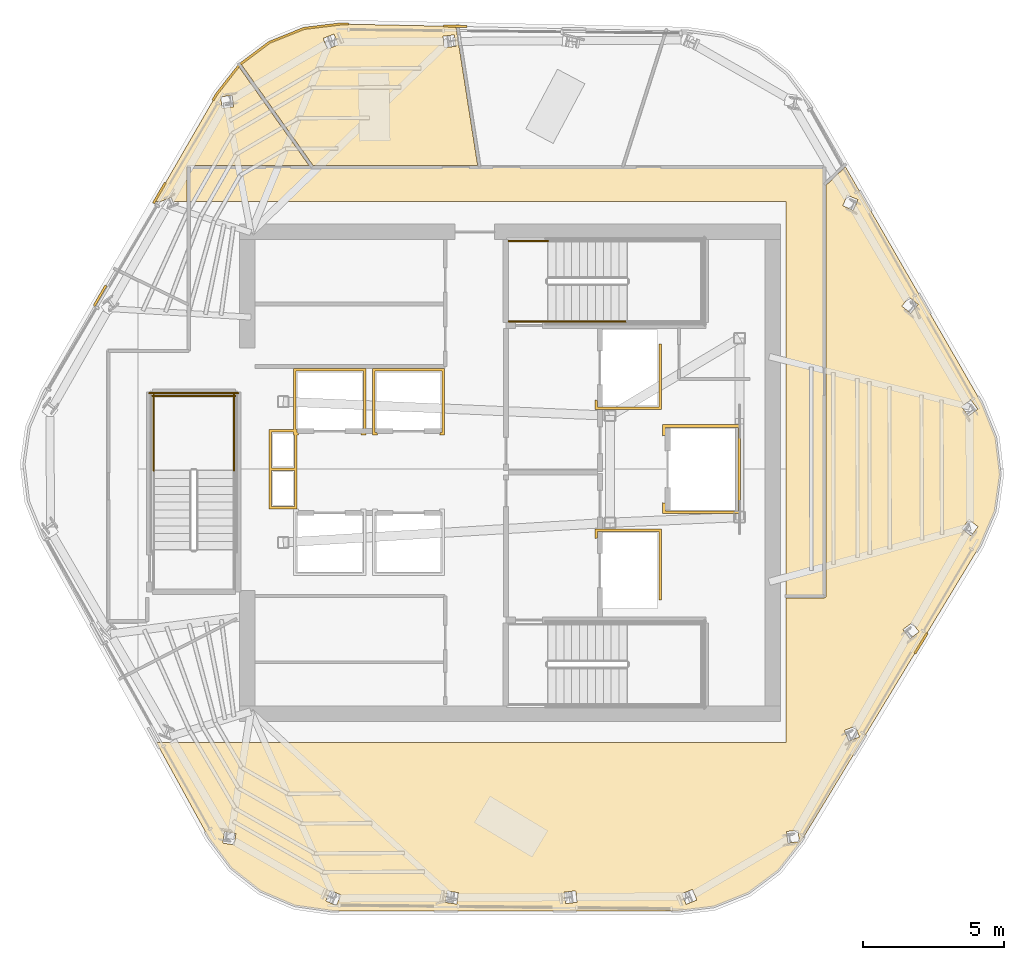
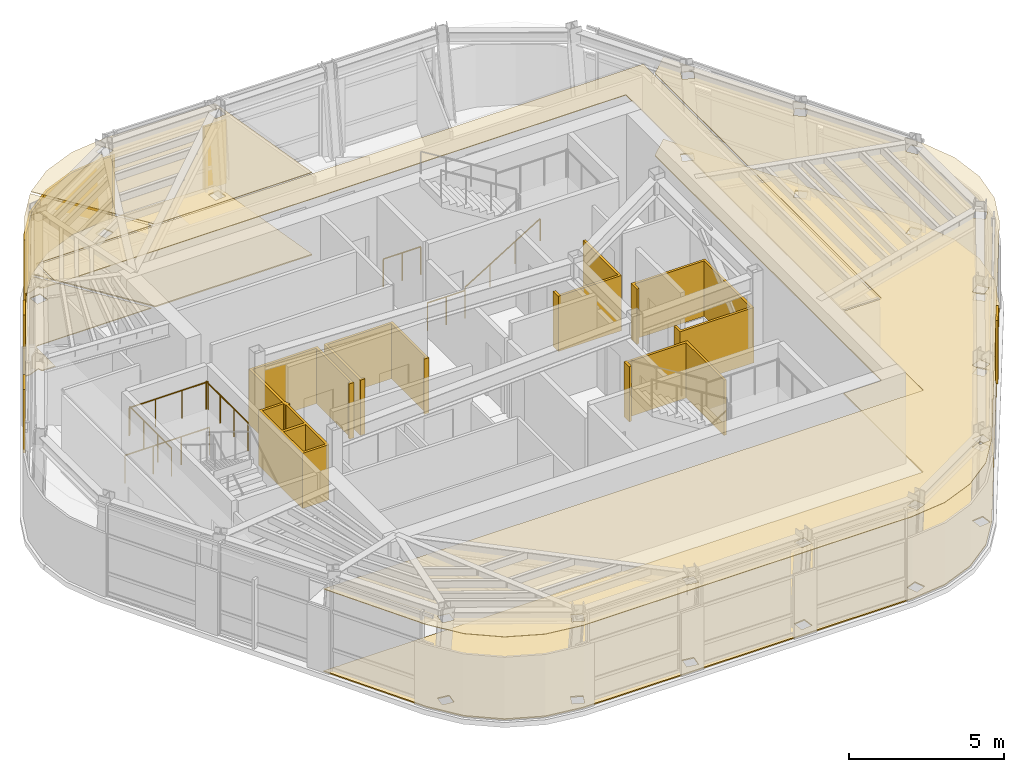
# One storey, part 11 of 13: 17 coverings, 7 railings.
"""IFC4 building model written with IfcOpenShell, lengths in metres."""

from ifc_helpers import new_model, si_unit, direction, frame, origin, origin_2d, place, context, subcontext, project, spatial, polyline, circle, outline, extrude, material, layer, layer_set, type_object, element, save


model = new_model("IFC4")

# Units and contexts
model_context = context("Model", 3, precision=1e-05, world=origin(), true_north=direction((0.0, 1.0)))
body_context = subcontext(model_context, "Body", "Model", "MODEL_VIEW")
ifc_project = project(units=[si_unit("LENGTHUNIT", "METRE"), si_unit("AREAUNIT", "SQUARE_METRE"), si_unit("VOLUMEUNIT", "CUBIC_METRE"), si_unit("PLANEANGLEUNIT", "RADIAN"), si_unit("MASSUNIT", "GRAM", prefix="KILO")], contexts=[model_context])

# Site, building, storey
site_placement = place(None, origin())
site = spatial("IfcSite", under=ifc_project, at=site_placement, CompositionType="ELEMENT")
building_placement = place(site_placement, origin())
building = spatial("IfcBuilding", under=site, at=building_placement, Name="Valkerne Bourse Tower", CompositionType="ELEMENT")
storey_placement = place(building_placement, frame((0.0, 0.0, 281.199951171875)))
storey = spatial("IfcBuildingStorey", under=building, at=storey_placement, Name="L71", CompositionType="ELEMENT", Elevation=281.199951171875)

# Coverings
ifc_material_1 = material(Name="Mineral Fiber Acoustic Ceiling Tile", Category="acoustic")
ifc_layer_1 = layer(ifc_material_1, 0.02490234375)
ifc_layer_set_1 = layer_set([ifc_layer_1], Name="Mineral Fiber Acoustic Ceiling Tile")
covering_type_1 = type_object("IfcCoveringType", Name="COV-CEIL-ACT", PredefinedType="CEILING", material=ifc_layer_set_1)
covering_1_placement = place(storey_placement, frame((0.0, 0.0, 3.25)))
element("IfcCovering", 1, at=covering_1_placement, inside=storey, type_object=covering_type_1, Name="L71 Suspended Ceiling 03", PredefinedType="CEILING", context=body_context, shape_type="SweptSolid", body=[
    extrude(outline(polyline([(39.660400390625, 37.7890625), (35.399658203125, 37.7890625), (35.37109375, 37.78271484375), (35.34814453125, 37.765869140625), (35.3310546875, 37.720703125), (35.3310546875, 36.5), (34.837890625, 36.5), (34.77880859375, 36.650634765625), (34.398193359375, 36.502197265625), (34.396728515625, 36.50048828125), (34.39697265625, 36.5), (34.18359375, 36.5), (36.38818359375, 40.31298828125), (37.163818359375, 41.302001953125), (39.660400390625, 37.7890625)]), holes=[polyline([(36.98291015625, 39.861328125), (36.984619140625, 39.86279296875), (36.93701171875, 40.2666015625), (36.531005859375, 40.21923828125), (36.529296875, 40.218017578125), (36.576904296875, 39.814208984375), (36.98291015625, 39.861328125)])]), origin(), (0.0, 0.0, 1.0), 0.025146484375),
])
covering_2_placement = place(storey_placement, frame((0.0, 0.0, 3.25)))
element("IfcCovering", 2, at=covering_2_placement, inside=storey, type_object=covering_type_1, Name="L71 Suspended Ceiling 06", PredefinedType="CEILING", context=body_context, shape_type="SweptSolid", body=[
    extrude(outline(polyline([(40.80615234375, 42.802490234375), (44.878662109375, 42.719482421875), (45.65087890625, 37.7890625), (39.804931640625, 37.7890625), (37.247314453125, 41.38818359375), (38.262939453125, 42.150634765625), (39.4873046875, 42.642822265625), (40.80615234375, 42.802490234375)]), holes=[polyline([(40.69921875, 42.064208984375), (40.701416015625, 42.065185546875), (40.54931640625, 42.445068359375), (40.172607421875, 42.294189453125), (40.17041015625, 42.29345703125), (40.322509765625, 41.913330078125), (40.69921875, 42.064208984375)]), polyline([(44.875732421875, 42.014404296875), (44.82470703125, 42.42041015625), (44.422119140625, 42.3701171875), (44.419921875, 42.36962890625), (44.470703125, 41.963623046875), (44.87353515625, 42.01416015625), (44.875732421875, 42.014404296875)])]), origin(), (0.0, 0.0, 1.0), 0.025146484375),
])
covering_3_placement = place(storey_placement, frame((0.0, 0.0, 3.25)))
element("IfcCovering", 3, at=covering_3_placement, inside=storey, type_object=covering_type_1, Name="L71 Suspended Ceiling 08", PredefinedType="CEILING", context=body_context, shape_type="SweptSolid", body=[
    extrude(outline(polyline([(64.00341796875, 25.511474609375), (63.482177734375, 24.28955078125), (57.14404296875, 13.81005859375), (56.323486328125, 12.763671875), (55.268310546875, 11.97119140625), (54.0439453125, 11.47900390625), (52.723876953125, 11.3193359375), (40.476318359375, 11.32666015625), (39.161376953125, 11.513671875), (37.947509765625, 12.031494140625), (36.9091796875, 12.845703125), (36.11181640625, 13.907958984375), (34.244140625, 17.300048828125), (34.764404296875, 17.300048828125), (34.829345703125, 17.272705078125), (34.8408203125, 17.300048828125), (56.60009765625, 17.300048828125), (56.60009765625, 22.430908203125), (57.95361328125, 22.43115234375), (57.99609375, 22.448486328125), (58.018310546875, 22.489990234375), (58.01904296875, 37.078369140625), (58.706298828125, 37.73583984375), (63.535400390625, 29.3603515625), (64.03076171875, 28.1279296875), (64.189453125, 26.81787109375), (64.00341796875, 25.511474609375)]), holes=[polyline([(40.424072265625, 12.050048828125), (40.421875, 12.051025390625), (40.260009765625, 11.67529296875), (40.6328125, 11.5146484375), (40.635009765625, 11.513671875), (40.796875, 11.889404296875), (40.424072265625, 12.050048828125)]), polyline([(44.5712890625, 12.02783203125), (44.569091796875, 12.028076171875), (44.5078125, 11.623291015625), (44.9091796875, 11.5625), (44.911376953125, 11.56201171875), (44.972900390625, 11.966796875), (44.5712890625, 12.02783203125)]), polyline([(37.06689453125, 14.072021484375), (36.662353515625, 14.129638671875), (36.604248046875, 13.727294921875), (36.606201171875, 13.725830078125), (37.010498046875, 13.668212890625), (37.068603515625, 14.070556640625), (37.06689453125, 14.072021484375)]), polyline([(49.18017578125, 11.63037109375), (49.12939453125, 12.036376953125), (48.726318359375, 11.98583984375), (48.72412109375, 11.985595703125), (48.775146484375, 11.57958984375), (49.177978515625, 11.6298828125), (49.18017578125, 11.63037109375)]), polyline([(53.4296875, 11.70654296875), (53.277587890625, 12.086669921875), (52.900634765625, 11.935791015625), (52.8984375, 11.934814453125), (53.05078125, 11.554931640625), (53.427490234375, 11.705810546875), (53.4296875, 11.70654296875)]), polyline([(57.07080078125, 13.781982421875), (57.023193359375, 14.185791015625), (56.6171875, 14.138671875), (56.615234375, 14.13720703125), (56.6630859375, 13.7333984375), (57.06884765625, 13.78076171875), (57.07080078125, 13.781982421875)]), polyline([(59.203125, 17.49951171875), (59.0546875, 17.878173828125), (58.674072265625, 17.729736328125), (58.672607421875, 17.727783203125), (58.821044921875, 17.349365234375), (59.201904296875, 17.497802734375), (59.203125, 17.49951171875)]), polyline([(61.319091796875, 21.22998046875), (61.0732421875, 21.553955078125), (60.747314453125, 21.3076171875), (60.746337890625, 21.305419921875), (60.9921875, 20.981689453125), (61.318115234375, 21.22802734375), (61.319091796875, 21.22998046875)]), polyline([(63.414306640625, 24.9580078125), (63.09423828125, 25.208984375), (62.84130859375, 24.88818359375), (62.841064453125, 24.8857421875), (63.160888671875, 24.634765625), (63.413818359375, 24.955810546875), (63.414306640625, 24.9580078125)]), polyline([(63.39990234375, 29.13623046875), (63.155517578125, 29.463623046875), (62.8291015625, 29.220947265625), (62.82958984375, 29.21875), (63.073974609375, 28.891357421875), (63.400146484375, 29.1337890625), (63.39990234375, 29.13623046875)]), polyline([(61.2841796875, 32.850830078125), (60.964599609375, 33.105712890625), (60.71044921875, 32.78857421875), (60.711181640625, 32.786376953125), (61.03076171875, 32.531494140625), (61.284912109375, 32.848876953125), (61.2841796875, 32.850830078125)]), polyline([(59.1474609375, 36.56884765625), (58.770751953125, 36.727294921875), (58.6123046875, 36.352783203125), (58.61376953125, 36.35107421875), (58.990478515625, 36.1923828125), (59.148681640625, 36.56689453125), (59.1474609375, 36.56884765625)])]), origin(), (0.0, 0.0, 1.0), 0.025146484375),
])
ifc_material_2 = material(Name="Bronze Anodised Aluminium AA 6063-T6", Category="aluminium")
ifc_layer_2 = layer(ifc_material_2, 0.030029296875)
ifc_layer_set_2 = layer_set([ifc_layer_2], Name="Bronze Anodised Aluminium AA 6063-T6")
covering_type_2 = type_object("IfcCoveringType", Name="COV-CEIL-METAL", PredefinedType="CEILING", material=ifc_layer_set_2)
covering_4_placement = place(storey_placement, frame((0.0, 0.0, 3.25)))
element("IfcCovering", 4, at=covering_4_placement, inside=storey, type_object=covering_type_2, Name="L71 Suspended Ceiling 01", PredefinedType="CEILING", context=body_context, shape_type="SweptSolid", body=[
    extrude(outline(polyline([(35.404052734375, 37.716064453125), (57.946044921875, 37.716064453125), (57.946044921875, 22.50390625), (56.60009765625, 22.50390625), (56.60009765625, 36.5), (35.404052734375, 36.5), (35.404052734375, 37.716064453125)])), origin(), (0.0, 0.0, 1.0), 0.025146484375),
])
ifc_layer_3 = layer(ifc_material_2, 0.06005859375)
ifc_layer_set_3 = layer_set([ifc_layer_3], Name="Bronze Anodised Aluminium AA 6063-T6")
covering_type_3 = type_object("IfcCoveringType", Name="COV-CRN-ALUM", PredefinedType="CLADDING", material=ifc_layer_set_3)
covering_5_placement = place(storey_placement, origin())
element("IfcCovering", 5, at=covering_5_placement, inside=storey, type_object=covering_type_3, Name="L71 Wind-Shaped Corner Aluminium Cladding 02", PredefinedType="CLADDING", context=body_context, shape_type="SweptSolid", body=[
    extrude(outline(polyline([(61.205078125, 20.439697265625), (61.13623046875, 20.480224609375), (61.57080078125, 21.198974609375), (61.639892578125, 21.158203125), (61.205078125, 20.439697265625)])), origin(), (0.0, 0.0, 1.0), 2.5),
])
covering_6_placement = place(storey_placement, origin())
element("IfcCovering", 6, at=covering_6_placement, inside=storey, type_object=covering_type_3, Name="L71 Wind-Shaped Corner Aluminium Cladding 11", PredefinedType="CLADDING", context=body_context, shape_type="SweptSolid", body=[
    extrude(outline(polyline([(32.423583984375, 33.54345703125), (32.492431640625, 33.502685546875), (32.072021484375, 32.775390625), (32.003173828125, 32.816162109375), (32.423583984375, 33.54345703125)])), origin(), (0.0, 0.0, 1.0), 2.5),
])
covering_7_placement = place(storey_placement, origin())
element("IfcCovering", 7, at=covering_7_placement, inside=storey, type_object=covering_type_3, Name="L71 Wind-Shaped Corner Aluminium Cladding 12", PredefinedType="CLADDING", context=body_context, shape_type="SweptSolid", body=[
    extrude(outline(polyline([(34.53173828125, 37.18994140625), (34.6005859375, 37.1494140625), (34.180419921875, 36.422119140625), (34.111328125, 36.462890625), (34.53173828125, 37.18994140625)])), origin(), (0.0, 0.0, 1.0), 2.5),
])
covering_8_placement = place(storey_placement, origin())
element("IfcCovering", 8, at=covering_8_placement, inside=storey, type_object=covering_type_3, Name="L71 Wind-Shaped Corner Aluminium Cladding 13", PredefinedType="CLADDING", context=body_context, shape_type="SweptSolid", body=[
    extrude(outline(polyline([(36.3515625, 40.337646484375), (37.1767578125, 41.39013671875), (38.2412109375, 42.189208984375), (39.476318359375, 42.685791015625), (40.803955078125, 42.846435546875), (41.21142578125, 42.838134765625), (41.0673828125, 42.839599609375), (41.066650390625, 42.760986328125), (40.807861328125, 42.766357421875), (39.496337890625, 42.607666015625), (38.28076171875, 42.118896484375), (37.233154296875, 41.33251953125), (36.418212890625, 40.292724609375), (36.28857421875, 40.06884765625), (36.220947265625, 40.10888671875), (36.147216796875, 39.984130859375), (36.3515625, 40.337646484375)])), origin(), (0.0, 0.0, 1.0), 2.5),
])
covering_9_placement = place(storey_placement, origin())
element("IfcCovering", 9, at=covering_9_placement, inside=storey, type_object=covering_type_3, Name="L71 Wind-Shaped Corner Aluminium Cladding 14", PredefinedType="CLADDING", context=body_context, shape_type="SweptSolid", body=[
    extrude(outline(polyline([(45.27880859375, 42.75537109375), (45.278076171875, 42.67529296875), (44.438232421875, 42.6923828125), (44.439208984375, 42.7724609375), (45.27880859375, 42.75537109375)])), origin(), (0.0, 0.0, 1.0), 2.5),
])
ifc_material_3 = material(Name="Galvanised Painted Steel", Category="steel")
ifc_layer_4 = layer(ifc_material_3, 0.044921875)
ifc_layer_set_4 = layer_set([ifc_layer_4], Name="Galvanised Painted Steel")
covering_type_4 = type_object("IfcCoveringType", Name="COV-FLR-RAF", PredefinedType="FLOORING", material=ifc_layer_set_4)
covering_10_placement = place(storey_placement, origin())
element("IfcCovering", 10, at=covering_10_placement, inside=storey, type_object=covering_type_4, Name="L71 Floor Finish 06", PredefinedType="FLOORING", context=body_context, shape_type="SweptSolid", body=[
    extrude(outline(polyline([(40.80615234375, 42.802490234375), (44.878662109375, 42.719482421875), (45.65087890625, 37.7890625), (39.804931640625, 37.7890625), (37.247314453125, 41.38818359375), (38.262939453125, 42.150634765625), (39.4873046875, 42.642822265625), (40.80615234375, 42.802490234375)]), holes=[polyline([(40.69921875, 42.064208984375), (40.701416015625, 42.065185546875), (40.54931640625, 42.445068359375), (40.172607421875, 42.294189453125), (40.17041015625, 42.29345703125), (40.322509765625, 41.913330078125), (40.69921875, 42.064208984375)]), polyline([(44.875732421875, 42.014404296875), (44.82470703125, 42.42041015625), (44.422119140625, 42.3701171875), (44.419921875, 42.36962890625), (44.470703125, 41.963623046875), (44.87353515625, 42.01416015625), (44.875732421875, 42.014404296875)])]), origin(), (0.0, 0.0, 1.0), 0.045166015625),
])
covering_11_placement = place(storey_placement, origin())
element("IfcCovering", 11, at=covering_11_placement, inside=storey, type_object=covering_type_4, Name="L71 Floor Finish 08", PredefinedType="FLOORING", context=body_context, shape_type="SweptSolid", body=[
    extrude(outline(polyline([(64.00341796875, 25.511474609375), (63.482177734375, 24.28955078125), (57.14404296875, 13.81005859375), (56.323486328125, 12.763671875), (55.268310546875, 11.97119140625), (54.0439453125, 11.47900390625), (52.723876953125, 11.3193359375), (40.476318359375, 11.32666015625), (39.161376953125, 11.513671875), (37.947509765625, 12.031494140625), (36.9091796875, 12.845703125), (36.11181640625, 13.907958984375), (34.244140625, 17.300048828125), (34.764404296875, 17.300048828125), (34.829345703125, 17.272705078125), (34.8408203125, 17.300048828125), (56.60009765625, 17.300048828125), (56.60009765625, 22.430908203125), (57.95361328125, 22.43115234375), (57.99609375, 22.448486328125), (58.018310546875, 22.489990234375), (58.01904296875, 37.078369140625), (58.706298828125, 37.73583984375), (63.535400390625, 29.3603515625), (64.03076171875, 28.1279296875), (64.189453125, 26.81787109375), (64.00341796875, 25.511474609375)]), holes=[polyline([(40.424072265625, 12.050048828125), (40.421875, 12.051025390625), (40.260009765625, 11.67529296875), (40.6328125, 11.5146484375), (40.635009765625, 11.513671875), (40.796875, 11.889404296875), (40.424072265625, 12.050048828125)]), polyline([(44.5712890625, 12.02783203125), (44.569091796875, 12.028076171875), (44.5078125, 11.623291015625), (44.9091796875, 11.5625), (44.911376953125, 11.56201171875), (44.972900390625, 11.966796875), (44.5712890625, 12.02783203125)]), polyline([(37.06689453125, 14.072021484375), (36.662353515625, 14.129638671875), (36.604248046875, 13.727294921875), (36.606201171875, 13.725830078125), (37.010498046875, 13.668212890625), (37.068603515625, 14.070556640625), (37.06689453125, 14.072021484375)]), polyline([(49.18017578125, 11.63037109375), (49.12939453125, 12.036376953125), (48.726318359375, 11.98583984375), (48.72412109375, 11.985595703125), (48.775146484375, 11.57958984375), (49.177978515625, 11.6298828125), (49.18017578125, 11.63037109375)]), polyline([(53.4296875, 11.70654296875), (53.277587890625, 12.086669921875), (52.900634765625, 11.935791015625), (52.8984375, 11.934814453125), (53.05078125, 11.554931640625), (53.427490234375, 11.705810546875), (53.4296875, 11.70654296875)]), polyline([(57.07080078125, 13.781982421875), (57.023193359375, 14.185791015625), (56.6171875, 14.138671875), (56.615234375, 14.13720703125), (56.6630859375, 13.7333984375), (57.06884765625, 13.78076171875), (57.07080078125, 13.781982421875)]), polyline([(59.203125, 17.49951171875), (59.0546875, 17.878173828125), (58.674072265625, 17.729736328125), (58.672607421875, 17.727783203125), (58.821044921875, 17.349365234375), (59.201904296875, 17.497802734375), (59.203125, 17.49951171875)]), polyline([(61.319091796875, 21.22998046875), (61.0732421875, 21.553955078125), (60.747314453125, 21.3076171875), (60.746337890625, 21.305419921875), (60.9921875, 20.981689453125), (61.318115234375, 21.22802734375), (61.319091796875, 21.22998046875)]), polyline([(63.414306640625, 24.9580078125), (63.09423828125, 25.208984375), (62.84130859375, 24.88818359375), (62.841064453125, 24.8857421875), (63.160888671875, 24.634765625), (63.413818359375, 24.955810546875), (63.414306640625, 24.9580078125)]), polyline([(63.39990234375, 29.13623046875), (63.155517578125, 29.463623046875), (62.8291015625, 29.220947265625), (62.82958984375, 29.21875), (63.073974609375, 28.891357421875), (63.400146484375, 29.1337890625), (63.39990234375, 29.13623046875)]), polyline([(61.2841796875, 32.850830078125), (60.964599609375, 33.105712890625), (60.71044921875, 32.78857421875), (60.711181640625, 32.786376953125), (61.03076171875, 32.531494140625), (61.284912109375, 32.848876953125), (61.2841796875, 32.850830078125)]), polyline([(59.1474609375, 36.56884765625), (58.770751953125, 36.727294921875), (58.6123046875, 36.352783203125), (58.61376953125, 36.35107421875), (58.990478515625, 36.1923828125), (59.148681640625, 36.56689453125), (59.1474609375, 36.56884765625)])]), origin(), (0.0, 0.0, 1.0), 0.045166015625),
])
ifc_material_4 = material(Name="Polished Granite Stone", Category="masonry")
ifc_layer_5 = layer(ifc_material_4, 0.030029296875)
ifc_layer_set_5 = layer_set([ifc_layer_5], Name="Polished Granite Stone")
covering_type_5 = type_object("IfcCoveringType", Name="COV-FLR-TERRAZZO", PredefinedType="FLOORING", material=ifc_layer_set_5)
covering_12_placement = place(storey_placement, origin())
element("IfcCovering", 12, at=covering_12_placement, inside=storey, type_object=covering_type_5, Name="L71 Floor Finish 03", PredefinedType="FLOORING", context=body_context, shape_type="SweptSolid", body=[
    extrude(outline(polyline([(39.660400390625, 37.7890625), (35.399658203125, 37.7890625), (35.37109375, 37.78271484375), (35.34814453125, 37.765869140625), (35.3310546875, 37.720703125), (35.3310546875, 36.5), (34.837890625, 36.5), (34.77880859375, 36.650634765625), (34.398193359375, 36.502197265625), (34.396728515625, 36.50048828125), (34.39697265625, 36.5), (34.18359375, 36.5), (36.38818359375, 40.31298828125), (37.163818359375, 41.302001953125), (39.660400390625, 37.7890625)]), holes=[polyline([(36.98291015625, 39.861328125), (36.984619140625, 39.86279296875), (36.93701171875, 40.2666015625), (36.531005859375, 40.21923828125), (36.529296875, 40.218017578125), (36.576904296875, 39.814208984375), (36.98291015625, 39.861328125)])]), origin(), (0.0, 0.0, 1.0), 0.030029296875),
])
ifc_material_5 = material(Name="Gypsum Shaftwall Liner Board", Category="gypsum")
ifc_layer_6 = layer(ifc_material_5, 0.080078125)
ifc_layer_set_6 = layer_set([ifc_layer_6], Name="Gypsum Shaftwall Liner Board")
covering_type_6 = type_object("IfcCoveringType", Name="COV-SHF-CLAD", PredefinedType="CLADDING", material=ifc_layer_set_6)
covering_13_placement = place(storey_placement, origin())
element("IfcCovering", 13, at=covering_13_placement, inside=storey, type_object=covering_type_6, Name="L71 Hoistway & Riser Shaftwall Liner 01", PredefinedType="CLADDING", context=body_context, shape_type="SweptSolid", body=[
    extrude(outline(polyline([(52.179931640625, 24.8798828125), (52.179931640625, 22.35009765625), (52.090087890625, 22.35009765625), (52.090087890625, 24.7900390625), (49.909912109375, 24.7900390625), (49.909912109375, 24.560791015625), (49.869384765625, 24.550537109375), (49.827880859375, 24.53564453125), (49.820068359375, 24.531982421875), (49.820068359375, 24.8798828125), (52.179931640625, 24.8798828125)])), origin(), (0.0, 0.0, 1.0), 2.179931640625),
])
covering_14_placement = place(storey_placement, origin())
element("IfcCovering", 14, at=covering_14_placement, inside=storey, type_object=covering_type_6, Name="L71 Hoistway & Riser Shaftwall Liner 04", PredefinedType="CLADDING", context=body_context, shape_type="SweptSolid", body=[
    extrude(outline(polyline([(38.239990234375, 27.0400390625), (38.239990234375, 28.409912109375), (39.1201171875, 28.409912109375), (39.1201171875, 30.580078125), (41.679931640625, 30.580078125), (41.679931640625, 28.219970703125), (41.500732421875, 28.219970703125), (41.511474609375, 28.26220703125), (41.517822265625, 28.305908203125), (41.51806640625, 28.31005859375), (41.590087890625, 28.31005859375), (41.590087890625, 30.489990234375), (39.2099609375, 30.489990234375), (39.2099609375, 28.409912109375), (39.239990234375, 28.409912109375), (39.239990234375, 28.31005859375), (39.281982421875, 28.31005859375), (39.2822265625, 28.305908203125), (39.28857421875, 28.26220703125), (39.29931640625, 28.219970703125), (39.239990234375, 28.219970703125), (39.239990234375, 27.0400390625), (39.239990234375, 26.9599609375), (39.239990234375, 25.590087890625), (38.239990234375, 25.590087890625), (38.239990234375, 26.9599609375), (38.239990234375, 27.0400390625)]), holes=[polyline([(39.14990234375, 26.949951171875), (38.330078125, 26.949951171875), (38.330078125, 25.679931640625), (39.14990234375, 25.679931640625), (39.14990234375, 26.949951171875)]), polyline([(39.14990234375, 28.219970703125), (39.1201171875, 28.219970703125), (39.1201171875, 28.320068359375), (38.330078125, 28.320068359375), (38.330078125, 27.050048828125), (39.14990234375, 27.050048828125), (39.14990234375, 28.219970703125)])]), origin(), (0.0, 0.0, 1.0), 2.179931640625),
])
covering_15_placement = place(storey_placement, origin())
element("IfcCovering", 15, at=covering_15_placement, inside=storey, type_object=covering_type_6, Name="L71 Hoistway & Riser Shaftwall Liner 05", PredefinedType="CLADDING", context=body_context, shape_type="SweptSolid", body=[
    extrude(outline(polyline([(54.97998046875, 28.580078125), (54.97998046875, 25.419921875), (52.219970703125, 25.419921875), (52.219970703125, 25.81787109375), (52.227783203125, 25.814208984375), (52.269287109375, 25.79931640625), (52.31005859375, 25.789306640625), (52.31005859375, 25.510009765625), (54.889892578125, 25.510009765625), (54.889892578125, 28.489990234375), (52.31005859375, 28.489990234375), (52.31005859375, 28.210693359375), (52.269287109375, 28.20068359375), (52.227783203125, 28.185791015625), (52.219970703125, 28.18212890625), (52.219970703125, 28.580078125), (54.97998046875, 28.580078125)])), origin(), (0.0, 0.0, 1.0), 2.179931640625),
])
covering_16_placement = place(storey_placement, origin())
element("IfcCovering", 16, at=covering_16_placement, inside=storey, type_object=covering_type_6, Name="L71 Hoistway & Riser Shaftwall Liner 06", PredefinedType="CLADDING", context=body_context, shape_type="SweptSolid", body=[
    extrude(outline(polyline([(44.47998046875, 28.219970703125), (44.30078125, 28.219970703125), (44.311279296875, 28.26220703125), (44.31787109375, 28.305908203125), (44.318115234375, 28.31005859375), (44.389892578125, 28.31005859375), (44.389892578125, 30.489990234375), (42.010009765625, 30.489990234375), (42.010009765625, 28.31005859375), (42.08203125, 28.31005859375), (42.082275390625, 28.305908203125), (42.088623046875, 28.26220703125), (42.09912109375, 28.219970703125), (41.919921875, 28.219970703125), (41.919921875, 30.580078125), (44.47998046875, 30.580078125), (44.47998046875, 28.219970703125)])), origin(), (0.0, 0.0, 1.0), 2.179931640625),
])
covering_17_placement = place(storey_placement, origin())
element("IfcCovering", 17, at=covering_17_placement, inside=storey, type_object=covering_type_6, Name="L71 Hoistway & Riser Shaftwall Liner 07", PredefinedType="CLADDING", context=body_context, shape_type="SweptSolid", body=[
    extrude(outline(polyline([(49.820068359375, 29.1201171875), (49.820068359375, 29.468017578125), (49.827880859375, 29.46435546875), (49.869384765625, 29.449462890625), (49.909912109375, 29.439208984375), (49.909912109375, 29.2099609375), (52.090087890625, 29.2099609375), (52.090087890625, 31.449951171875), (52.179931640625, 31.449951171875), (52.179931640625, 29.1201171875), (49.820068359375, 29.1201171875)])), origin(), (0.0, 0.0, 1.0), 2.179931640625),
])

# Railings
railing_type_1 = type_object("IfcRailingType", Name="RLG-ST-GUARD-1120", PredefinedType="GUARDRAIL", material=ifc_material_3)
for number, where, name in (
    (18, (46.75, 32.25, 0.0), "L71 ST-2 stair guard 8"),
    (19, (46.75, 35.10009765625, 0.0), "L71 ST-2 stair guard 9"),
):
    element("IfcRailing", number, at=place(storey_placement, frame(where)), inside=storey, type_object=railing_type_1, Name=name, PredefinedType="GUARDRAIL", context=body_context, shape_type="SweptSolid", body=[
        extrude(circle(Radius=0.02392578125, at=origin_2d()), frame((0.0, 0.0, 1.09619140625), z_axis=(1.0, 0.0, 0.0), x_axis=(0.0, 1.0, 0.0)), (0.0, 0.0, 1.0), 1.39990234375),
        extrude(circle(Radius=0.02099609375, at=origin_2d()), origin(), (0.0, 0.0, 1.0), 1.072021484375),
        extrude(circle(Radius=0.02099609375, at=origin_2d()), frame((0.699951171875, 0.0, 0.0)), (0.0, 0.0, 1.0), 1.072021484375),
        extrude(circle(Radius=0.02099609375, at=origin_2d()), frame((1.39990234375, 0.0, 0.0)), (0.0, 0.0, 1.0), 1.072021484375),
    ])
for number, where, name in (
    (20, (37.0, 26.949951171875, 1.900146484375), "L71 ST-3 stair guard 3"),
    (21, (34.14990234375, 26.949951171875, 1.900146484375), "L71 ST-3 stair guard 4"),
):
    element("IfcRailing", number, at=place(storey_placement, frame(where)), inside=storey, type_object=railing_type_1, Name=name, PredefinedType="GUARDRAIL", context=body_context, shape_type="SweptSolid", body=[
        extrude(circle(Radius=0.02392578125, at=origin_2d()), frame((0.0, 0.0, 1.09619140625), z_axis=(0.0, 1.0, 0.0), x_axis=(-1.0, 0.0, 0.0)), (0.0, 0.0, 1.0), 2.699951171875),
        extrude(circle(Radius=0.02099609375, at=origin_2d()), origin(), (0.0, 0.0, 1.0), 1.072021484375),
        extrude(circle(Radius=0.02099609375, at=origin_2d()), frame((0.0, 0.89990234375, 0.0)), (0.0, 0.0, 1.0), 1.072021484375),
        extrude(circle(Radius=0.02099609375, at=origin_2d()), frame((0.0, 1.800048828125, 0.0)), (0.0, 0.0, 1.0), 1.072021484375),
        extrude(circle(Radius=0.02099609375, at=origin_2d()), frame((0.0, 2.699951171875, 0.0)), (0.0, 0.0, 1.0), 1.072021484375),
    ])
railing_1_placement = place(storey_placement, frame((37.050048828125, 29.60009765625, 1.900146484375)))
element("IfcRailing", 22, at=railing_1_placement, inside=storey, type_object=railing_type_1, Name="L71 ST-3 stair guard 5", PredefinedType="GUARDRAIL", context=body_context, shape_type="SweptSolid", body=[
    extrude(circle(Radius=0.02392578125, at=origin_2d()), frame((0.0, 0.0, 1.09619140625), z_axis=(-1.0, 0.0, 0.0), x_axis=(0.0, -1.0, 0.0)), (0.0, 0.0, 1.0), 2.949951171875),
    extrude(circle(Radius=0.02099609375, at=origin_2d()), origin(), (0.0, 0.0, 1.0), 1.072021484375),
    extrude(circle(Radius=0.02099609375, at=origin_2d()), frame((-0.9833984375, 0.0, 0.0)), (0.0, 0.0, 1.0), 1.072021484375),
    extrude(circle(Radius=0.02099609375, at=origin_2d()), frame((-1.966552734375, 0.0, 0.0)), (0.0, 0.0, 1.0), 1.072021484375),
    extrude(circle(Radius=0.02099609375, at=origin_2d()), frame((-2.949951171875, 0.0, 0.0)), (0.0, 0.0, 1.0), 1.072021484375),
])
railing_2_placement = place(storey_placement, frame((37.14990234375, 29.699951171875, 0.0)))
element("IfcRailing", 23, at=railing_2_placement, inside=storey, type_object=railing_type_1, Name="L71 ST-3 stair guard 12", PredefinedType="GUARDRAIL", context=body_context, shape_type="SweptSolid", body=[
    extrude(circle(Radius=0.02392578125, at=origin_2d()), frame((0.0, 0.0, 1.09619140625), z_axis=(-1.0, 0.0, 0.0), x_axis=(0.0, -1.0, 0.0)), (0.0, 0.0, 1.0), 3.14990234375),
    extrude(circle(Radius=0.02099609375, at=origin_2d()), origin(), (0.0, 0.0, 1.0), 1.072021484375),
    extrude(circle(Radius=0.02099609375, at=origin_2d()), frame((-1.050048828125, 0.0, 0.0)), (0.0, 0.0, 1.0), 1.072021484375),
    extrude(circle(Radius=0.02099609375, at=origin_2d()), frame((-2.099853515625, 0.0, 0.0)), (0.0, 0.0, 1.0), 1.072021484375),
    extrude(circle(Radius=0.02099609375, at=origin_2d()), frame((-3.14990234375, 0.0, 0.0)), (0.0, 0.0, 1.0), 1.072021484375),
])
ifc_material_6 = material(Name="Stainless Steel AISI 316", Category="steel")
railing_type_2 = type_object("IfcRailingType", Name="RLG-ST-HANDRAIL-900", PredefinedType="HANDRAIL", material=ifc_material_6)
railing_3_placement = place(storey_placement, frame((48.14990234375, 32.25, 0.345458984375)))
element("IfcRailing", 24, at=railing_3_placement, inside=storey, type_object=railing_type_2, Name="L71 ST-2 stair handrail 1", PredefinedType="HANDRAIL", context=body_context, shape_type="SweptSolid", body=[
    extrude(circle(Radius=0.02392578125, at=origin_2d()), frame((0.0, 0.0, 0.8759765625), z_axis=(0.851089632645, 0.0, 0.525020415988), x_axis=(0.0, 1.0, 0.0)), (0.0, 0.0, 1.0), 3.2900390625),
    extrude(circle(Radius=0.02099609375, at=origin_2d()), origin(), (0.0, 0.0, 1.0), 0.851806640625),
    extrude(circle(Radius=0.02099609375, at=origin_2d()), frame((0.933349609375, 0.0, 0.57568359375)), (0.0, 0.0, 1.0), 0.851806640625),
    extrude(circle(Radius=0.02099609375, at=origin_2d()), frame((1.86669921875, 0.0, 1.151611328125)), (0.0, 0.0, 1.0), 0.851806640625),
    extrude(circle(Radius=0.02099609375, at=origin_2d()), frame((2.800048828125, 0.0, 1.727294921875)), (0.0, 0.0, 1.0), 0.851806640625),
])

save(model, "model.ifc")
